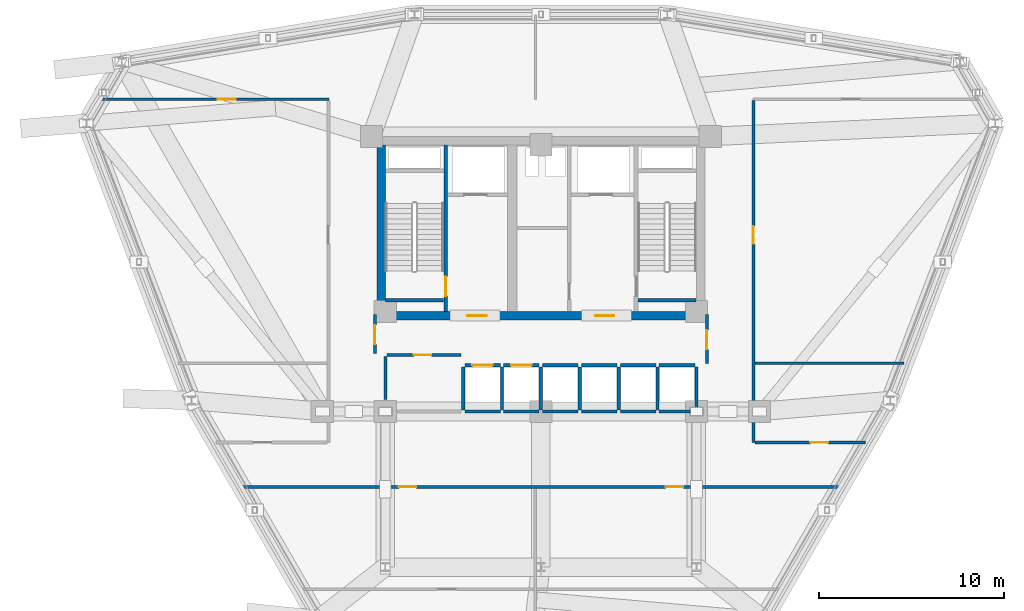
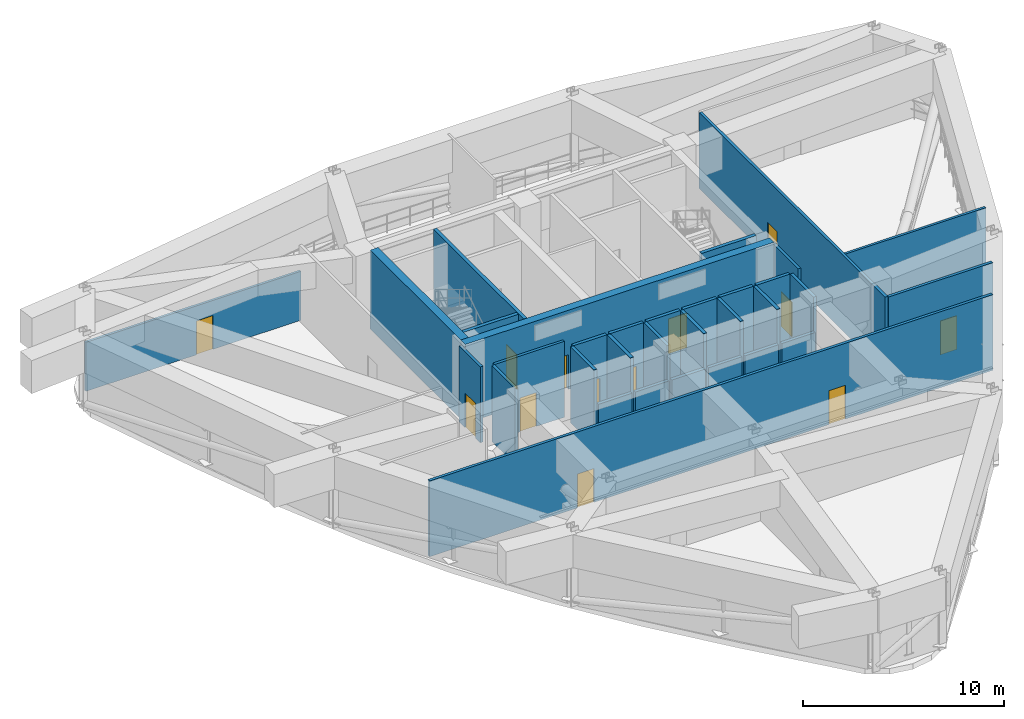
# One storey, part 8 of 13: 33 walls, 13 doors, 13 openings.
"""IFC4 building model written with IfcOpenShell, lengths in metres."""

from ifc_helpers import new_model, si_unit, derived_unit, direction, frame, frame_2d, origin, place, context, subcontext, project, spatial, rectangle, extrude, material, layer, layer_set, type_object, element, fill, save


model = new_model("IFC4")

# Units and contexts
model_context = context("Model", 3, precision=1e-05, world=origin(), true_north=direction((0.0, 1.0)))
body_context = subcontext(model_context, "Body", "Model", "MODEL_VIEW")
ifc_project = project(units=[si_unit("LENGTHUNIT", "METRE"), si_unit("AREAUNIT", "SQUARE_METRE"), si_unit("VOLUMEUNIT", "CUBIC_METRE"), si_unit("PLANEANGLEUNIT", "RADIAN"), si_unit("MASSUNIT", "GRAM", prefix="KILO"), derived_unit("THERMALTRANSMITTANCEUNIT", [(si_unit("POWERUNIT", "WATT"), 1), (si_unit("LENGTHUNIT", "METRE"), -2), (si_unit("THERMODYNAMICTEMPERATUREUNIT", "KELVIN"), -1)])], contexts=[model_context])

# Site, building, storey
site_placement = place(None, origin())
site = spatial("IfcSite", under=ifc_project, at=site_placement, CompositionType="ELEMENT")
building_placement = place(site_placement, origin())
building = spatial("IfcBuilding", under=site, at=building_placement, Name="Korsvarv Bourse and Concert Hall", CompositionType="ELEMENT")
storey_placement = place(building_placement, frame((0.0, 0.0, 131.39990234375)))
storey = spatial("IfcBuildingStorey", under=building, at=storey_placement, Name="L33", CompositionType="ELEMENT", Elevation=131.39990234375)

# Wall, opening, door
ifc_material_1 = material(Name="Concrete C50/60", Category="concrete")
ifc_layer_1 = layer(ifc_material_1, 0.3798828125)
ifc_layer_set_1 = layer_set([ifc_layer_1], Name="Concrete C50/60")
wall_type_1 = type_object("IfcWallType", Name="WL-CORE-380", PredefinedType="SHEAR", material=ifc_layer_set_1)
wall_1_placement = place(storey_placement, frame((30.860107421875, 37.81005859375, 0.0), z_axis=(0.0, 0.0, 1.0), x_axis=(0.0, 1.0, 0.0)))
wall_1 = element("IfcWall", 1, at=wall_1_placement, inside=storey, type_object=wall_type_1, Name="L33 stair shaft structural wall W-L33-ST1-E", PredefinedType="SHEAR", context=body_context, shape_type="SweptSolid", body=[
    extrude(rectangle(XDim=8.97998046875, YDim=0.199951171875, at=frame_2d((4.489990234375, 0.0))), origin(), (0.0, 0.0, 1.0), 4.800048828125),
])
opening_1_placement = place(wall_1_placement, frame((0.820068359375, 0.0, 0.0)))
opening_1 = element("IfcOpeningElement", 2, at=opening_1_placement, cuts=wall_1, Name="Opening D-01", PredefinedType="OPENING", context=body_context, shape_type="SweptSolid", body=[
    extrude(rectangle(XDim=1.050048828125, YDim=2.10009765625, at=frame_2d((0.52490234375, 1.050048828125))), frame((0.0, 0.10986328125, 0.0), z_axis=(0.0, -1.0, 0.0), x_axis=(1.0, 0.0, 0.0)), (0.0, 0.0, 1.0), 0.219970703125),
])
ifc_material_2 = material(Name="Steel S355 fire door", Category="steel")
door_type_1 = type_object("IfcDoorType", Name="DR-FD60", OperationType="NOTDEFINED", PredefinedType="DOOR", material=ifc_material_2)
door_1_placement = place(opening_1_placement, origin())
door_1 = element("IfcDoor", 3, at=door_1_placement, inside=storey, type_object=door_type_1, Name="L33 interior door DR-L33-ST1", OperationType="SINGLE_SWING_LEFT", OverallHeight=2.10009765625, OverallWidth=1.050048828125, PredefinedType="DOOR", context=body_context, shape_type="SweptSolid", body=[
    extrude(rectangle(XDim=1.050048828125, YDim=2.10009765625, at=frame_2d((0.52490234375, 1.050048828125))), frame((0.0, 0.02490234375, 0.0), z_axis=(0.0, -1.0, 0.0), x_axis=(1.0, 0.0, 0.0)), (0.0, 0.0, 1.0), 0.050048828125),
])
fill(opening_1, door_1)

# Walls
for number, where, z_axis, x_axis, name in (
    (4, (27.610107421875, 38.39990234375, 0.0), (0.0, 0.0, 1.0), (1.0, 0.0, 0.0), "L33 stair shaft structural wall W-L33-ST1-S"),
    (5, (41.25, 38.39990234375, 0.0), (0.0, 0.0, 1.0), (1.0, 0.0, 0.0), "L33 stair shaft structural wall W-L33-ST2-S"),
):
    element("IfcWall", number, at=place(storey_placement, frame(where, z_axis=z_axis, x_axis=x_axis)), inside=storey, type_object=wall_type_1, Name=name, PredefinedType="SHEAR", context=body_context, shape_type="SweptSolid", body=[
        extrude(rectangle(XDim=3.139892578125, YDim=0.199951171875, at=frame_2d((1.56982421875, 0.0))), origin(), (0.0, 0.0, 1.0), 4.800048828125),
    ])

# Wall, openings, doors
ifc_material_3 = material(Name="Concrete C55/67", Category="concrete")
ifc_layer_2 = layer(ifc_material_3, 0.449951171875)
ifc_layer_set_2 = layer_set([ifc_layer_2], Name="Concrete C55/67")
wall_type_2 = type_object("IfcWallType", Name="WL-CORE-450", PredefinedType="SHEAR", material=ifc_layer_set_2)
wall_2_placement = place(storey_placement, frame((27.14990234375, 37.574951171875, 0.0), z_axis=(0.0, 0.0, 1.0), x_axis=(1.0, 0.0, 0.0)))
wall_2 = element("IfcWall", 6, at=wall_2_placement, inside=storey, type_object=wall_type_2, Name="L33 South Core Shear Wall", PredefinedType="SHEAR", context=body_context, shape_type="SweptSolid", body=[
    extrude(rectangle(XDim=17.7001953125, YDim=0.449951171875, at=frame_2d((8.85009765625, 0.0))), origin(), (0.0, 0.0, 1.0), 4.800048828125),
])
opening_2_placement = place(wall_2_placement, frame((4.875, 0.0, 0.0)))
opening_2 = element("IfcOpeningElement", 7, at=opening_2_placement, cuts=wall_2, Name="Opening D-01", PredefinedType="OPENING", context=body_context, shape_type="SweptSolid", body=[
    extrude(rectangle(XDim=1.050048828125, YDim=2.10009765625, at=frame_2d((0.52490234375, 1.050048828125))), frame((0.0, 0.23486328125, 0.0), z_axis=(0.0, -1.0, 0.0), x_axis=(1.0, 0.0, 0.0)), (0.0, 0.0, 1.0), 0.469970703125),
])
opening_3_placement = place(wall_2_placement, frame((11.77490234375, 0.0, 0.0)))
opening_3 = element("IfcOpeningElement", 8, at=opening_3_placement, cuts=wall_2, Name="Opening D-01", PredefinedType="OPENING", context=body_context, shape_type="SweptSolid", body=[
    extrude(rectangle(XDim=1.050048828125, YDim=2.10009765625, at=frame_2d((0.52490234375, 1.050048828125))), frame((0.0, 0.23486328125, 0.0), z_axis=(0.0, -1.0, 0.0), x_axis=(1.0, 0.0, 0.0)), (0.0, 0.0, 1.0), 0.469970703125),
])
door_2_placement = place(opening_2_placement, frame((1.050048828125, 0.0, 0.0), z_axis=(0.0, 0.0, 1.0), x_axis=(-1.0, 0.0, 0.0)))
door_2 = element("IfcDoor", 9, at=door_2_placement, inside=storey, type_object=door_type_1, Name="L33 firefighting lobby fire door DR-L33-FFLW", OperationType="SINGLE_SWING_LEFT", OverallHeight=2.10009765625, OverallWidth=1.050048828125, PredefinedType="DOOR", context=body_context, shape_type="SweptSolid", body=[
    extrude(rectangle(XDim=1.050048828125, YDim=2.10009765625, at=frame_2d((0.52490234375, 1.050048828125))), frame((0.0, 0.02490234375, 0.0), z_axis=(0.0, -1.0, 0.0), x_axis=(1.0, 0.0, 0.0)), (0.0, 0.0, 1.0), 0.050048828125),
])
fill(opening_2, door_2)
door_3_placement = place(opening_3_placement, frame((1.050048828125, 0.0, 0.0), z_axis=(0.0, 0.0, 1.0), x_axis=(-1.0, 0.0, 0.0)))
door_3 = element("IfcDoor", 10, at=door_3_placement, inside=storey, type_object=door_type_1, Name="L33 firefighting lobby fire door DR-L33-FFLE", OperationType="SINGLE_SWING_RIGHT", OverallHeight=2.10009765625, OverallWidth=1.050048828125, PredefinedType="DOOR", context=body_context, shape_type="SweptSolid", body=[
    extrude(rectangle(XDim=1.050048828125, YDim=2.10009765625, at=frame_2d((0.52490234375, 1.050048828125))), frame((0.0, 0.02490234375, 0.0), z_axis=(0.0, -1.0, 0.0), x_axis=(1.0, 0.0, 0.0)), (0.0, 0.0, 1.0), 0.050048828125),
])
fill(opening_3, door_3)

# Walls
wall_3_placement = place(storey_placement, frame((27.375, 37.800048828125, 0.0), z_axis=(0.0, 0.0, 1.0), x_axis=(0.0, 1.0, 0.0)))
element("IfcWall", 11, at=wall_3_placement, inside=storey, type_object=wall_type_2, Name="L33 West Core Shear Wall", PredefinedType="SHEAR", context=body_context, shape_type="SweptSolid", body=[
    extrude(rectangle(XDim=9.0, YDim=0.449951171875, at=frame_2d((4.5, 0.0))), origin(), (0.0, 0.0, 1.0), 4.800048828125),
])
ifc_material_4 = material(Name="Double-stud fire-rated acoustic partition", Category="gypsum")
ifc_layer_3 = layer(ifc_material_4, 0.159912109375)
ifc_layer_set_3 = layer_set([ifc_layer_3], Name="Double-stud fire-rated acoustic partition")
wall_type_3 = type_object("IfcWallType", Name="WL-INT-EI60", PredefinedType="PARTITIONING", material=ifc_layer_set_3)
wall_4_placement = place(storey_placement, frame((27.60009765625, 33.050048828125, 0.0), z_axis=(0.0, 0.0, 1.0), x_axis=(0.0, 1.0, 0.0)))
element("IfcWall", 12, at=wall_4_placement, inside=storey, type_object=wall_type_3, Name="L33 interior partition wall W-L33-FRD-W", PredefinedType="PARTITIONING", context=body_context, shape_type="SweptSolid", body=[
    extrude(rectangle(XDim=2.31005859375, YDim=0.159912109375, at=frame_2d((1.155029296875, 0.0))), origin(), (0.0, 0.0, 1.0), 4.60009765625),
])

# Wall, opening, door
wall_5_placement = place(storey_placement, frame((27.68994140625, 35.449951171875, 0.0), z_axis=(0.0, 0.0, 1.0), x_axis=(1.0, 0.0, 0.0)))
wall_5 = element("IfcWall", 13, at=wall_5_placement, inside=storey, type_object=wall_type_3, Name="L33 interior partition wall W-L33-FRD-N", PredefinedType="PARTITIONING", context=body_context, shape_type="SweptSolid", body=[
    extrude(rectangle(XDim=4.010009765625, YDim=0.159912109375, at=frame_2d((2.0048828125, 0.0))), origin(), (0.0, 0.0, 1.0), 4.60009765625),
])
opening_4_placement = place(wall_5_placement, frame((1.449951171875, 0.0, 0.0)))
opening_4 = element("IfcOpeningElement", 14, at=opening_4_placement, cuts=wall_5, Name="Opening D-03", PredefinedType="OPENING", context=body_context, shape_type="SweptSolid", body=[
    extrude(rectangle(XDim=0.949951171875, YDim=2.050048828125, at=frame_2d((0.47509765625, 1.02490234375))), frame((0.0, 0.08984375, 0.0), z_axis=(0.0, -1.0, 0.0), x_axis=(1.0, 0.0, 0.0)), (0.0, 0.0, 1.0), 0.179931640625),
])
ifc_material_5 = material(Name="Nordic oak acoustic office door", Category="wood")
door_type_2 = type_object("IfcDoorType", Name="DR-INT-1", OperationType="NOTDEFINED", PredefinedType="DOOR", material=ifc_material_5)
door_4_placement = place(opening_4_placement, origin())
door_4 = element("IfcDoor", 15, at=door_4_placement, inside=storey, type_object=door_type_2, Name="L33 interior door DR-L33-FRDN1", OperationType="SINGLE_SWING_RIGHT", OverallHeight=2.050048828125, OverallWidth=0.949951171875, PredefinedType="DOOR", context=body_context, shape_type="SweptSolid", body=[
    extrude(rectangle(XDim=0.949951171875, YDim=2.050048828125, at=frame_2d((0.47509765625, 1.02490234375))), frame((0.0, 0.02490234375, 0.0), z_axis=(0.0, -1.0, 0.0), x_axis=(1.0, 0.0, 0.0)), (0.0, 0.0, 1.0), 0.050048828125),
])
fill(opening_4, door_4)

wall_6_placement = place(storey_placement, frame((27.0400390625, 35.5400390625, 0.0), z_axis=(0.0, 0.0, 1.0), x_axis=(0.0, 1.0, 0.0)))
wall_6 = element("IfcWall", 16, at=wall_6_placement, inside=storey, type_object=wall_type_3, Name="L33 interior partition wall W-L33-LOB-WL", PredefinedType="PARTITIONING", context=body_context, shape_type="SweptSolid", body=[
    extrude(rectangle(XDim=2.10986328125, YDim=0.159912109375, at=frame_2d((1.054931640625, 0.0))), origin(), (0.0, 0.0, 1.0), 4.60009765625),
])
opening_5_placement = place(wall_6_placement, frame((0.47998046875, 0.0, 0.0)))
opening_5 = element("IfcOpeningElement", 17, at=opening_5_placement, cuts=wall_6, Name="Opening D-01", PredefinedType="OPENING", context=body_context, shape_type="SweptSolid", body=[
    extrude(rectangle(XDim=1.050048828125, YDim=2.10009765625, at=frame_2d((0.52490234375, 1.050048828125))), frame((0.0, 0.08984375, 0.0), z_axis=(0.0, -1.0, 0.0), x_axis=(1.0, 0.0, 0.0)), (0.0, 0.0, 1.0), 0.179931640625),
])
door_5_placement = place(opening_5_placement, frame((1.050048828125, 0.0, 0.0), z_axis=(0.0, 0.0, 1.0), x_axis=(-1.0, 0.0, 0.0)))
door_5 = element("IfcDoor", 18, at=door_5_placement, inside=storey, type_object=door_type_1, Name="L33 interior door DR-L33-LOBW", OperationType="SINGLE_SWING_LEFT", OverallHeight=2.10009765625, OverallWidth=1.050048828125, PredefinedType="DOOR", context=body_context, shape_type="SweptSolid", body=[
    extrude(rectangle(XDim=1.050048828125, YDim=2.10009765625, at=frame_2d((0.52490234375, 1.050048828125))), frame((0.0, 0.02490234375, 0.0), z_axis=(0.0, -1.0, 0.0), x_axis=(1.0, 0.0, 0.0)), (0.0, 0.0, 1.0), 0.050048828125),
])
fill(opening_5, door_5)

wall_7_placement = place(storey_placement, frame((44.9599609375, 35.0, 0.0), z_axis=(0.0, 0.0, 1.0), x_axis=(0.0, 1.0, 0.0)))
wall_7 = element("IfcWall", 19, at=wall_7_placement, inside=storey, type_object=wall_type_3, Name="L33 interior partition wall W-L33-LOB-E", PredefinedType="PARTITIONING", context=body_context, shape_type="SweptSolid", body=[
    extrude(rectangle(XDim=2.64990234375, YDim=0.159912109375, at=frame_2d((1.324951171875, 0.0))), origin(), (0.0, 0.0, 1.0), 4.60009765625),
])
opening_6_placement = place(wall_7_placement, frame((0.75, 0.0, 0.0)))
opening_6 = element("IfcOpeningElement", 20, at=opening_6_placement, cuts=wall_7, Name="Opening D-01", PredefinedType="OPENING", context=body_context, shape_type="SweptSolid", body=[
    extrude(rectangle(XDim=1.050048828125, YDim=2.10009765625, at=frame_2d((0.52490234375, 1.050048828125))), frame((0.0, 0.08984375, 0.0), z_axis=(0.0, -1.0, 0.0), x_axis=(1.0, 0.0, 0.0)), (0.0, 0.0, 1.0), 0.179931640625),
])
door_6_placement = place(opening_6_placement, origin())
door_6 = element("IfcDoor", 21, at=door_6_placement, inside=storey, type_object=door_type_1, Name="L33 interior door DR-L33-LOBE", OperationType="SINGLE_SWING_RIGHT", OverallHeight=2.10009765625, OverallWidth=1.050048828125, PredefinedType="DOOR", context=body_context, shape_type="SweptSolid", body=[
    extrude(rectangle(XDim=1.050048828125, YDim=2.10009765625, at=frame_2d((0.52490234375, 1.050048828125))), frame((0.0, 0.02490234375, 0.0), z_axis=(0.0, -1.0, 0.0), x_axis=(1.0, 0.0, 0.0)), (0.0, 0.0, 1.0), 0.050048828125),
])
fill(opening_6, door_6)

# Wall, openings, doors
wall_8_placement = place(storey_placement, frame((19.849853515625, 28.324951171875, 0.0), z_axis=(0.0, 0.0, 1.0), x_axis=(1.0, 0.0, 0.0)))
wall_8 = element("IfcWall", 22, at=wall_8_placement, inside=storey, type_object=wall_type_3, Name="L33 interior partition wall W-L33-RCOR-01", PredefinedType="PARTITIONING", context=body_context, shape_type="SweptSolid", body=[
    extrude(rectangle(XDim=32.30029296875, YDim=0.159912109375, at=frame_2d((16.150146484375, 0.0))), origin(), (0.0, 0.0, 1.0), 4.60009765625),
])
opening_7_placement = place(wall_8_placement, frame((8.47802734375, 0.0, 0.0)))
opening_7 = element("IfcOpeningElement", 23, at=opening_7_placement, cuts=wall_8, Name="Opening D-02", PredefinedType="OPENING", context=body_context, shape_type="SweptSolid", body=[
    extrude(rectangle(XDim=0.949951171875, YDim=2.050048828125, at=frame_2d((0.47509765625, 1.02490234375))), frame((0.0, 0.08984375, 0.0), z_axis=(0.0, -1.0, 0.0), x_axis=(1.0, 0.0, 0.0)), (0.0, 0.0, 1.0), 0.179931640625),
])
opening_8_placement = place(wall_8_placement, frame((22.89306640625, 0.0, 0.0)))
opening_8 = element("IfcOpeningElement", 24, at=opening_8_placement, cuts=wall_8, Name="Opening D-02", PredefinedType="OPENING", context=body_context, shape_type="SweptSolid", body=[
    extrude(rectangle(XDim=0.949951171875, YDim=2.050048828125, at=frame_2d((0.47509765625, 1.02490234375))), frame((0.0, 0.08984375, 0.0), z_axis=(0.0, -1.0, 0.0), x_axis=(1.0, 0.0, 0.0)), (0.0, 0.0, 1.0), 0.179931640625),
])
ifc_material_6 = material(Name="Timber and steel acoustic fire door", Category="wood")
door_type_3 = type_object("IfcDoorType", Name="DR-FD30", OperationType="NOTDEFINED", PredefinedType="DOOR", material=ifc_material_6)
door_7_placement = place(opening_7_placement, origin())
door_7 = element("IfcDoor", 25, at=door_7_placement, inside=storey, type_object=door_type_3, Name="L33 interior door DR-L33-RCOR-RM99", OperationType="SINGLE_SWING_LEFT", OverallHeight=2.050048828125, OverallWidth=0.949951171875, PredefinedType="DOOR", context=body_context, shape_type="SweptSolid", body=[
    extrude(rectangle(XDim=0.949951171875, YDim=2.050048828125, at=frame_2d((0.47509765625, 1.02490234375))), frame((0.0, 0.02490234375, 0.0), z_axis=(0.0, -1.0, 0.0), x_axis=(1.0, 0.0, 0.0)), (0.0, 0.0, 1.0), 0.050048828125),
])
fill(opening_7, door_7)
door_8_placement = place(opening_8_placement, origin())
door_8 = element("IfcDoor", 26, at=door_8_placement, inside=storey, type_object=door_type_3, Name="L33 interior door DR-L33-RCOR-RM1010", OperationType="SINGLE_SWING_RIGHT", OverallHeight=2.050048828125, OverallWidth=0.949951171875, PredefinedType="DOOR", context=body_context, shape_type="SweptSolid", body=[
    extrude(rectangle(XDim=0.949951171875, YDim=2.050048828125, at=frame_2d((0.47509765625, 1.02490234375))), frame((0.0, 0.02490234375, 0.0), z_axis=(0.0, -1.0, 0.0), x_axis=(1.0, 0.0, 0.0)), (0.0, 0.0, 1.0), 0.050048828125),
])
fill(opening_8, door_8)

# Wall, opening, door
wall_9_placement = place(storey_placement, frame((47.47509765625, 30.719970703125, 0.0), z_axis=(0.0, 0.0, 1.0), x_axis=(0.0, 1.0, 0.0)))
wall_9 = element("IfcWall", 27, at=wall_9_placement, inside=storey, type_object=wall_type_3, Name="L33 interior partition wall W-L33-RCOR-02", PredefinedType="PARTITIONING", context=body_context, shape_type="SweptSolid", body=[
    extrude(rectangle(XDim=18.463134765625, YDim=0.159912109375, at=frame_2d((9.2314453125, 0.0))), origin(), (0.0, 0.0, 1.0), 4.60009765625),
])
opening_9_placement = place(wall_9_placement, frame((10.73388671875, 0.0, 0.0)))
opening_9 = element("IfcOpeningElement", 28, at=opening_9_placement, cuts=wall_9, Name="Opening D-02", PredefinedType="OPENING", context=body_context, shape_type="SweptSolid", body=[
    extrude(rectangle(XDim=0.949951171875, YDim=2.050048828125, at=frame_2d((0.47509765625, 1.02490234375))), frame((0.0, 0.08984375, 0.0), z_axis=(0.0, -1.0, 0.0), x_axis=(1.0, 0.0, 0.0)), (0.0, 0.0, 1.0), 0.179931640625),
])
door_9_placement = place(opening_9_placement, origin())
door_9 = element("IfcDoor", 29, at=door_9_placement, inside=storey, type_object=door_type_3, Name="L33 interior door DR-L33-RCOR-REFE5", OperationType="SINGLE_SWING_LEFT", OverallHeight=2.050048828125, OverallWidth=0.949951171875, PredefinedType="DOOR", context=body_context, shape_type="SweptSolid", body=[
    extrude(rectangle(XDim=0.949951171875, YDim=2.050048828125, at=frame_2d((0.47509765625, 1.02490234375))), frame((0.0, 0.02490234375, 0.0), z_axis=(0.0, -1.0, 0.0), x_axis=(1.0, 0.0, 0.0)), (0.0, 0.0, 1.0), 0.050048828125),
])
fill(opening_9, door_9)

wall_10_placement = place(storey_placement, frame((47.556884765625, 30.72509765625, 0.0), z_axis=(0.0, 0.0, 1.0), x_axis=(1.0, 0.0, 0.0)))
wall_10 = element("IfcWall", 30, at=wall_10_placement, inside=storey, type_object=wall_type_3, Name="L33 interior partition wall W-L33-RCOR-04", PredefinedType="PARTITIONING", context=body_context, shape_type="SweptSolid", body=[
    extrude(rectangle(XDim=5.978759765625, YDim=0.159912109375, at=frame_2d((2.9892578125, 0.0))), origin(), (0.0, 0.0, 1.0), 4.60009765625),
])
opening_10_placement = place(wall_10_placement, frame((2.999755859375, 0.0, 0.0)))
opening_10 = element("IfcOpeningElement", 31, at=opening_10_placement, cuts=wall_10, Name="Opening D-02", PredefinedType="OPENING", context=body_context, shape_type="SweptSolid", body=[
    extrude(rectangle(XDim=0.949951171875, YDim=2.050048828125, at=frame_2d((0.47509765625, 1.02490234375))), frame((0.0, 0.08984375, 0.0), z_axis=(0.0, -1.0, 0.0), x_axis=(1.0, 0.0, 0.0)), (0.0, 0.0, 1.0), 0.179931640625),
])
door_10_placement = place(opening_10_placement, origin())
door_10 = element("IfcDoor", 32, at=door_10_placement, inside=storey, type_object=door_type_3, Name="L33 interior door DR-L33-RCOR-PL21", OperationType="SINGLE_SWING_LEFT", OverallHeight=2.050048828125, OverallWidth=0.949951171875, PredefinedType="DOOR", context=body_context, shape_type="SweptSolid", body=[
    extrude(rectangle(XDim=0.949951171875, YDim=2.050048828125, at=frame_2d((0.47509765625, 1.02490234375))), frame((0.0, 0.02490234375, 0.0), z_axis=(0.0, -1.0, 0.0), x_axis=(1.0, 0.0, 0.0)), (0.0, 0.0, 1.0), 0.050048828125),
])
fill(opening_10, door_10)

ifc_material_7 = material(Name="Gypsum-clad autoclaved concrete shaft wall C30/37", Category="concrete")
ifc_layer_4 = layer(ifc_material_7, 0.179931640625)
ifc_layer_set_4 = layer_set([ifc_layer_4], Name="Gypsum-clad autoclaved concrete shaft wall C30/37")
wall_type_4 = type_object("IfcWallType", Name="WL-INT-EI90", PredefinedType="PARTITIONING", material=ifc_layer_set_4)
wall_11_placement = place(storey_placement, frame((31.889892578125, 34.89990234375, 0.0), z_axis=(0.0, 0.0, 1.0), x_axis=(1.0, 0.0, 0.0)))
wall_11 = element("IfcWall", 33, at=wall_11_placement, inside=storey, type_object=wall_type_4, Name="L33 interior partition wall W-L33-SHFN-PM1", PredefinedType="PARTITIONING", context=body_context, shape_type="SweptSolid", body=[
    extrude(rectangle(XDim=1.920166015625, YDim=0.179931640625, at=frame_2d((0.9599609375, 0.0))), origin(), (0.0, 0.0, 1.0), 4.60009765625),
])
opening_11_placement = place(wall_11_placement, frame((0.409912109375, 0.0, 0.0)))
opening_11 = element("IfcOpeningElement", 34, at=opening_11_placement, cuts=wall_11, Name="Opening LD-2", PredefinedType="OPENING", context=body_context, shape_type="SweptSolid", body=[
    extrude(rectangle(XDim=1.10009765625, YDim=2.10009765625, at=frame_2d((0.550048828125, 1.050048828125))), frame((0.0, 0.10009765625, 0.0), z_axis=(0.0, -1.0, 0.0), x_axis=(1.0, 0.0, 0.0)), (0.0, 0.0, 1.0), 0.199951171875),
])
ifc_material_8 = material(Name="Brushed stainless Steel S355 lift landing door", Category="steel")
door_type_4 = type_object("IfcDoorType", Name="DR-LIFT-P", OperationType="DOUBLE_DOOR_SLIDING", PredefinedType="DOOR", material=ifc_material_8)
door_11_placement = place(opening_11_placement, origin())
door_11 = element("IfcDoor", 35, at=door_11_placement, inside=storey, type_object=door_type_4, Name="L33 lift sliding landing door LD-L33-PM1", OperationType="DOUBLE_DOOR_SLIDING", OverallHeight=2.10009765625, OverallWidth=1.10009765625, PredefinedType="DOOR", context=body_context, shape_type="SweptSolid", body=[
    extrude(rectangle(XDim=1.10009765625, YDim=2.10009765625, at=frame_2d((0.550048828125, 1.050048828125))), frame((0.0, 0.02490234375, 0.0), z_axis=(0.0, -1.0, 0.0), x_axis=(1.0, 0.0, 0.0)), (0.0, 0.0, 1.0), 0.050048828125),
])
fill(opening_11, door_11)

# Walls
wall_12_placement = place(storey_placement, frame((31.889892578125, 32.39990234375, 0.0), z_axis=(0.0, 0.0, 1.0), x_axis=(1.0, 0.0, 0.0)))
element("IfcWall", 36, at=wall_12_placement, inside=storey, type_object=wall_type_4, Name="L33 interior partition wall W-L33-SHFS-PM1", PredefinedType="PARTITIONING", context=body_context, shape_type="SweptSolid", body=[
    extrude(rectangle(XDim=1.920166015625, YDim=0.179931640625, at=frame_2d((0.9599609375, 0.0))), origin(), (0.0, 0.0, 1.0), 2.570068359375),
])
wall_13_placement = place(storey_placement, frame((31.800048828125, 32.489990234375, 0.0), z_axis=(0.0, 0.0, 1.0), x_axis=(0.0, 1.0, 0.0)))
element("IfcWall", 37, at=wall_13_placement, inside=storey, type_object=wall_type_4, Name="L33 interior partition wall W-L33-SHFW-PM1", PredefinedType="PARTITIONING", context=body_context, shape_type="SweptSolid", body=[
    extrude(rectangle(XDim=2.320068359375, YDim=0.179931640625, at=frame_2d((1.16015625, 0.0))), origin(), (0.0, 0.0, 1.0), 4.60009765625),
])

# Wall, opening, door
wall_14_placement = place(storey_placement, frame((33.989990234375, 34.89990234375, 0.0), z_axis=(0.0, 0.0, 1.0), x_axis=(1.0, 0.0, 0.0)))
wall_14 = element("IfcWall", 38, at=wall_14_placement, inside=storey, type_object=wall_type_4, Name="L33 interior partition wall W-L33-SHFN-PM2", PredefinedType="PARTITIONING", context=body_context, shape_type="SweptSolid", body=[
    extrude(rectangle(XDim=1.919921875, YDim=0.179931640625, at=frame_2d((0.9599609375, 0.0))), origin(), (0.0, 0.0, 1.0), 4.60009765625),
])
opening_12_placement = place(wall_14_placement, frame((0.409912109375, 0.0, 0.0)))
opening_12 = element("IfcOpeningElement", 39, at=opening_12_placement, cuts=wall_14, Name="Opening LD-2", PredefinedType="OPENING", context=body_context, shape_type="SweptSolid", body=[
    extrude(rectangle(XDim=1.10009765625, YDim=2.10009765625, at=frame_2d((0.550048828125, 1.050048828125))), frame((0.0, 0.10009765625, 0.0), z_axis=(0.0, -1.0, 0.0), x_axis=(1.0, 0.0, 0.0)), (0.0, 0.0, 1.0), 0.199951171875),
])
door_12_placement = place(opening_12_placement, origin())
door_12 = element("IfcDoor", 40, at=door_12_placement, inside=storey, type_object=door_type_4, Name="L33 lift sliding landing door LD-L33-PM2", OperationType="DOUBLE_DOOR_SLIDING", OverallHeight=2.10009765625, OverallWidth=1.10009765625, PredefinedType="DOOR", context=body_context, shape_type="SweptSolid", body=[
    extrude(rectangle(XDim=1.10009765625, YDim=2.10009765625, at=frame_2d((0.550048828125, 1.050048828125))), frame((0.0, 0.02490234375, 0.0), z_axis=(0.0, -1.0, 0.0), x_axis=(1.0, 0.0, 0.0)), (0.0, 0.0, 1.0), 0.050048828125),
])
fill(opening_12, door_12)

# Walls
wall_15_placement = place(storey_placement, frame((33.989990234375, 32.39990234375, 0.0), z_axis=(0.0, 0.0, 1.0), x_axis=(1.0, 0.0, 0.0)))
element("IfcWall", 41, at=wall_15_placement, inside=storey, type_object=wall_type_4, Name="L33 interior partition wall W-L33-SHFS-PM2", PredefinedType="PARTITIONING", context=body_context, shape_type="SweptSolid", body=[
    extrude(rectangle(XDim=1.919921875, YDim=0.179931640625, at=frame_2d((0.9599609375, 0.0))), origin(), (0.0, 0.0, 1.0), 2.570068359375),
])
wall_16_placement = place(storey_placement, frame((33.89990234375, 32.489990234375, 0.0), z_axis=(0.0, 0.0, 1.0), x_axis=(0.0, 1.0, 0.0)))
element("IfcWall", 42, at=wall_16_placement, inside=storey, type_object=wall_type_4, Name="L33 interior partition wall W-L33-SHFW-PM2", PredefinedType="PARTITIONING", context=body_context, shape_type="SweptSolid", body=[
    extrude(rectangle(XDim=2.320068359375, YDim=0.179931640625, at=frame_2d((1.16015625, 0.0))), origin(), (0.0, 0.0, 1.0), 4.60009765625),
])
wall_17_placement = place(storey_placement, frame((36.090087890625, 34.89990234375, 0.0), z_axis=(0.0, 0.0, 1.0), x_axis=(1.0, 0.0, 0.0)))
element("IfcWall", 43, at=wall_17_placement, inside=storey, type_object=wall_type_4, Name="L33 interior partition wall W-L33-SHFN-PH1", PredefinedType="PARTITIONING", context=body_context, shape_type="SweptSolid", body=[
    extrude(rectangle(XDim=1.919921875, YDim=0.179931640625, at=frame_2d((0.9599609375, 0.0))), origin(), (0.0, 0.0, 1.0), 4.60009765625),
])
wall_18_placement = place(storey_placement, frame((36.090087890625, 32.39990234375, 0.0), z_axis=(0.0, 0.0, 1.0), x_axis=(1.0, 0.0, 0.0)))
element("IfcWall", 44, at=wall_18_placement, inside=storey, type_object=wall_type_4, Name="L33 interior partition wall W-L33-SHFS-PH1", PredefinedType="PARTITIONING", context=body_context, shape_type="SweptSolid", body=[
    extrude(rectangle(XDim=1.919921875, YDim=0.179931640625, at=frame_2d((0.9599609375, 0.0))), origin(), (0.0, 0.0, 1.0), 2.570068359375),
])
wall_19_placement = place(storey_placement, frame((36.0, 32.489990234375, 0.0), z_axis=(0.0, 0.0, 1.0), x_axis=(0.0, 1.0, 0.0)))
element("IfcWall", 45, at=wall_19_placement, inside=storey, type_object=wall_type_4, Name="L33 interior partition wall W-L33-SHFW-PH1", PredefinedType="PARTITIONING", context=body_context, shape_type="SweptSolid", body=[
    extrude(rectangle(XDim=2.320068359375, YDim=0.179931640625, at=frame_2d((1.16015625, 0.0))), origin(), (0.0, 0.0, 1.0), 4.60009765625),
])
wall_20_placement = place(storey_placement, frame((38.18994140625, 34.89990234375, 0.0), z_axis=(0.0, 0.0, 1.0), x_axis=(1.0, 0.0, 0.0)))
element("IfcWall", 46, at=wall_20_placement, inside=storey, type_object=wall_type_4, Name="L33 interior partition wall W-L33-SHFN-PH2", PredefinedType="PARTITIONING", context=body_context, shape_type="SweptSolid", body=[
    extrude(rectangle(XDim=1.920166015625, YDim=0.179931640625, at=frame_2d((0.9599609375, 0.0))), origin(), (0.0, 0.0, 1.0), 4.60009765625),
])
wall_21_placement = place(storey_placement, frame((38.18994140625, 32.39990234375, 0.0), z_axis=(0.0, 0.0, 1.0), x_axis=(1.0, 0.0, 0.0)))
element("IfcWall", 47, at=wall_21_placement, inside=storey, type_object=wall_type_4, Name="L33 interior partition wall W-L33-SHFS-PH2", PredefinedType="PARTITIONING", context=body_context, shape_type="SweptSolid", body=[
    extrude(rectangle(XDim=1.920166015625, YDim=0.179931640625, at=frame_2d((0.9599609375, 0.0))), origin(), (0.0, 0.0, 1.0), 2.570068359375),
])
wall_22_placement = place(storey_placement, frame((38.10009765625, 32.489990234375, 0.0), z_axis=(0.0, 0.0, 1.0), x_axis=(0.0, 1.0, 0.0)))
element("IfcWall", 48, at=wall_22_placement, inside=storey, type_object=wall_type_4, Name="L33 interior partition wall W-L33-SHFW-PH2", PredefinedType="PARTITIONING", context=body_context, shape_type="SweptSolid", body=[
    extrude(rectangle(XDim=2.320068359375, YDim=0.179931640625, at=frame_2d((1.16015625, 0.0))), origin(), (0.0, 0.0, 1.0), 4.60009765625),
])
wall_23_placement = place(storey_placement, frame((40.2900390625, 34.89990234375, 0.0), z_axis=(0.0, 0.0, 1.0), x_axis=(1.0, 0.0, 0.0)))
element("IfcWall", 49, at=wall_23_placement, inside=storey, type_object=wall_type_4, Name="L33 interior partition wall W-L33-SHFN-PO1", PredefinedType="PARTITIONING", context=body_context, shape_type="SweptSolid", body=[
    extrude(rectangle(XDim=1.919921875, YDim=0.179931640625, at=frame_2d((0.9599609375, 0.0))), origin(), (0.0, 0.0, 1.0), 4.60009765625),
])
wall_24_placement = place(storey_placement, frame((40.2900390625, 32.39990234375, 0.0), z_axis=(0.0, 0.0, 1.0), x_axis=(1.0, 0.0, 0.0)))
element("IfcWall", 50, at=wall_24_placement, inside=storey, type_object=wall_type_4, Name="L33 interior partition wall W-L33-SHFS-PO1", PredefinedType="PARTITIONING", context=body_context, shape_type="SweptSolid", body=[
    extrude(rectangle(XDim=1.919921875, YDim=0.179931640625, at=frame_2d((0.9599609375, 0.0))), origin(), (0.0, 0.0, 1.0), 2.570068359375),
])
wall_25_placement = place(storey_placement, frame((40.199951171875, 32.489990234375, 0.0), z_axis=(0.0, 0.0, 1.0), x_axis=(0.0, 1.0, 0.0)))
element("IfcWall", 51, at=wall_25_placement, inside=storey, type_object=wall_type_4, Name="L33 interior partition wall W-L33-SHFW-PO1", PredefinedType="PARTITIONING", context=body_context, shape_type="SweptSolid", body=[
    extrude(rectangle(XDim=2.320068359375, YDim=0.179931640625, at=frame_2d((1.16015625, 0.0))), origin(), (0.0, 0.0, 1.0), 4.60009765625),
])
wall_26_placement = place(storey_placement, frame((42.389892578125, 34.89990234375, 0.0), z_axis=(0.0, 0.0, 1.0), x_axis=(1.0, 0.0, 0.0)))
element("IfcWall", 52, at=wall_26_placement, inside=storey, type_object=wall_type_4, Name="L33 interior partition wall W-L33-SHFN-PO2", PredefinedType="PARTITIONING", context=body_context, shape_type="SweptSolid", body=[
    extrude(rectangle(XDim=1.920166015625, YDim=0.179931640625, at=frame_2d((0.9599609375, 0.0))), origin(), (0.0, 0.0, 1.0), 4.60009765625),
])
wall_27_placement = place(storey_placement, frame((42.389892578125, 32.39990234375, 0.0), z_axis=(0.0, 0.0, 1.0), x_axis=(1.0, 0.0, 0.0)))
element("IfcWall", 53, at=wall_27_placement, inside=storey, type_object=wall_type_4, Name="L33 interior partition wall W-L33-SHFS-PO2", PredefinedType="PARTITIONING", context=body_context, shape_type="SweptSolid", body=[
    extrude(rectangle(XDim=1.920166015625, YDim=0.179931640625, at=frame_2d((0.9599609375, 0.0))), origin(), (0.0, 0.0, 1.0), 2.570068359375),
])
for number, where, z_axis, x_axis, name in (
    (54, (42.300048828125, 32.489990234375, 0.0), (0.0, 0.0, 1.0), (0.0, 1.0, 0.0), "L33 interior partition wall W-L33-SHFW-PO2"),
    (55, (44.39990234375, 32.489990234375, 0.0), (0.0, 0.0, 1.0), (0.0, 1.0, 0.0), "L33 interior partition wall W-L33-SHFE-END"),
):
    element("IfcWall", number, at=place(storey_placement, frame(where, z_axis=z_axis, x_axis=x_axis)), inside=storey, type_object=wall_type_4, Name=name, PredefinedType="PARTITIONING", context=body_context, shape_type="SweptSolid", body=[
        extrude(rectangle(XDim=2.320068359375, YDim=0.179931640625, at=frame_2d((1.16015625, 0.0))), origin(), (0.0, 0.0, 1.0), 4.60009765625),
    ])

# Wall, opening, door
ifc_material_9 = material(Name="Insulated steel-stud office acoustic partition", Category="gypsum")
ifc_layer_5 = layer(ifc_material_9, 0.139892578125)
ifc_layer_set_5 = layer_set([ifc_layer_5], Name="Insulated steel-stud office acoustic partition")
wall_type_5 = type_object("IfcWallType", Name="WL-INT-P1", PredefinedType="PARTITIONING", material=ifc_layer_set_5)
wall_28_placement = place(storey_placement, frame((12.222412109375, 49.2548828125, 0.0), z_axis=(0.0, 0.0, 1.0), x_axis=(1.0, 0.0, 0.0)))
wall_28 = element("IfcWall", 56, at=wall_28_placement, inside=storey, type_object=wall_type_5, Name="L33 interior partition wall W-L33-RCOR-09", PredefinedType="PARTITIONING", context=body_context, shape_type="SweptSolid", body=[
    extrude(rectangle(XDim=12.330810546875, YDim=0.139892578125, at=frame_2d((6.16552734375, 0.0))), origin(), (0.0, 0.0, 1.0), 2.97021484375),
])
opening_13_placement = place(wall_28_placement, frame((6.339111328125, 0.0, 0.0)))
opening_13 = element("IfcOpeningElement", 57, at=opening_13_placement, cuts=wall_28, Name="Opening D-03", PredefinedType="OPENING", context=body_context, shape_type="SweptSolid", body=[
    extrude(rectangle(XDim=0.949951171875, YDim=2.050048828125, at=frame_2d((0.47509765625, 1.02490234375))), frame((0.0, 0.080078125, 0.0), z_axis=(0.0, -1.0, 0.0), x_axis=(1.0, 0.0, 0.0)), (0.0, 0.0, 1.0), 0.159912109375),
])
door_13_placement = place(opening_13_placement, origin())
door_13 = element("IfcDoor", 58, at=door_13_placement, inside=storey, type_object=door_type_2, Name="L33 interior door DR-L33-RCOR-PL54", OperationType="SINGLE_SWING_RIGHT", OverallHeight=2.050048828125, OverallWidth=0.949951171875, PredefinedType="DOOR", context=body_context, shape_type="SweptSolid", body=[
    extrude(rectangle(XDim=0.949951171875, YDim=2.050048828125, at=frame_2d((0.47509765625, 1.02490234375))), frame((0.0, 0.02490234375, 0.0), z_axis=(0.0, -1.0, 0.0), x_axis=(1.0, 0.0, 0.0)), (0.0, 0.0, 1.0), 0.050048828125),
])
fill(opening_13, door_13)

# Wall
wall_29_placement = place(storey_placement, frame((47.556884765625, 35.0048828125, 0.0), z_axis=(0.0, 0.0, 1.0), x_axis=(1.0, 0.0, 0.0)))
element("IfcWall", 59, at=wall_29_placement, inside=storey, type_object=wall_type_5, Name="L33 interior partition wall W-L33-RCOR-11", PredefinedType="PARTITIONING", context=body_context, shape_type="SweptSolid", body=[
    extrude(rectangle(XDim=8.05078125, YDim=0.139892578125, at=frame_2d((4.025390625, 0.0))), origin(), (0.0, 0.0, 1.0), 4.60009765625),
])

save(model, "model.ifc")
